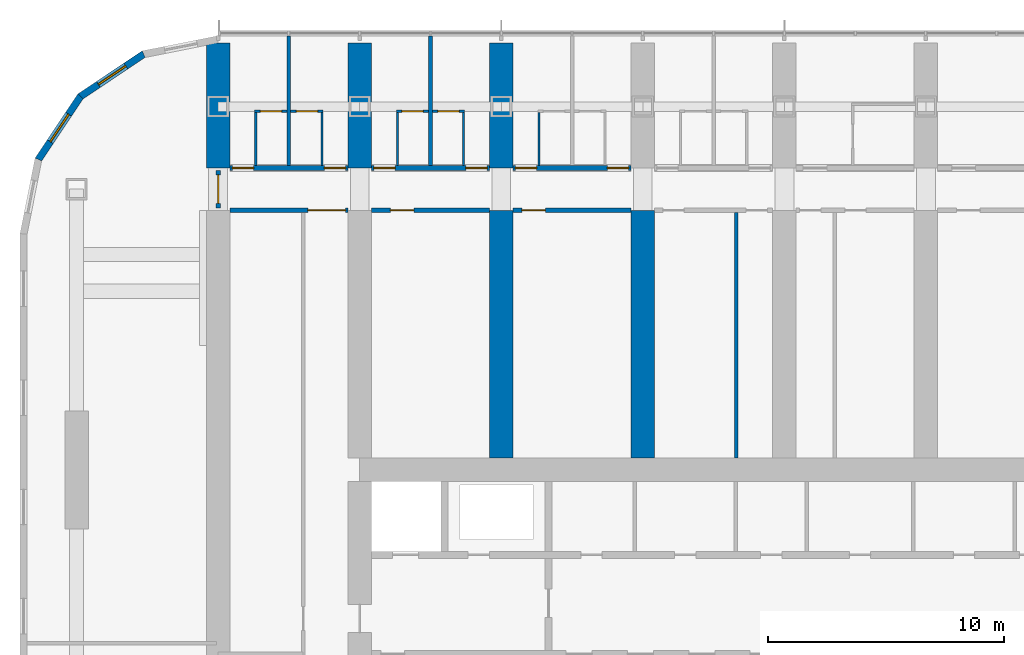
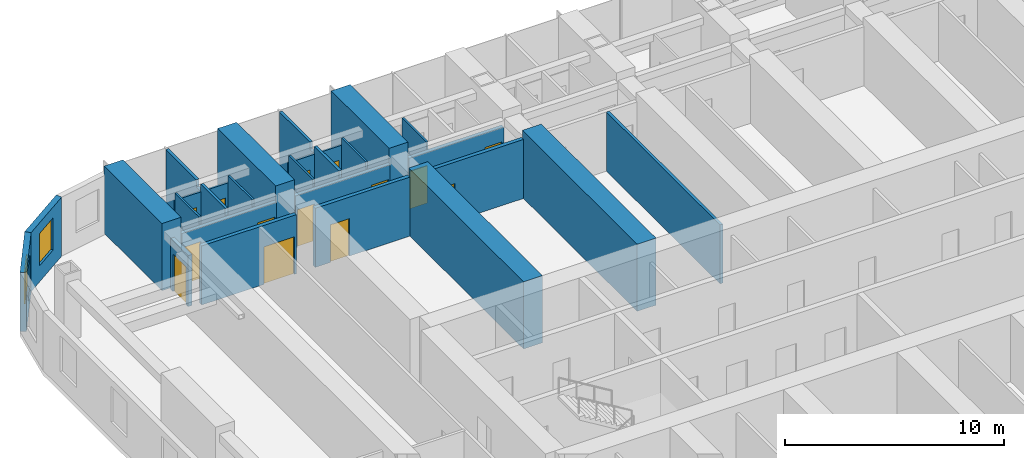
# One storey, part 15 of 24: 26 walls, 14 doors, 2 windows, 16 openings.
"""IFC4 building model written with IfcOpenShell, lengths in metres."""

from ifc_helpers import new_model, si_unit, direction, frame, frame_2d, origin, place, context, subcontext, project, spatial, polyline, rectangle, outline, extrude, material, layer, layer_set, type_object, element, fill, save


model = new_model("IFC4")

# Units and contexts
model_context = context("Model", 3, precision=1e-05, world=origin(), true_north=direction((0.0, 1.0)))
body_context = subcontext(model_context, "Body", "Model", "MODEL_VIEW")
ifc_project = project(units=[si_unit("LENGTHUNIT", "METRE"), si_unit("AREAUNIT", "SQUARE_METRE"), si_unit("VOLUMEUNIT", "CUBIC_METRE"), si_unit("PLANEANGLEUNIT", "RADIAN"), si_unit("MASSUNIT", "GRAM", prefix="KILO")], contexts=[model_context])

# Site, building, storey
site_placement = place(None, origin())
site = spatial("IfcSite", under=ifc_project, at=site_placement, CompositionType="ELEMENT")
building_placement = place(site_placement, origin())
building = spatial("IfcBuilding", under=site, at=building_placement, Name="Orbita Commons", CompositionType="ELEMENT")
storey_placement = place(building_placement, frame((0.0, 0.0, 35.199951171875)))
storey = spatial("IfcBuildingStorey", under=building, at=storey_placement, Name="L08", CompositionType="ELEMENT", Elevation=35.199951171875)

# Wall, openings, doors
ifc_material_1 = material(Name="Concrete blockwork", Category="masonry")
ifc_layer_1 = layer(ifc_material_1, 0.199951171875)
ifc_layer_set_1 = layer_set([ifc_layer_1], Name="Concrete blockwork")
wall_type_1 = type_object("IfcWallType", Name="Corridor wall 200 blockwork", PredefinedType="SOLIDWALL", material=ifc_layer_set_1)
wall_1_placement = place(storey_placement, frame((12.5, 51.0, 0.0), z_axis=(0.0, 0.0, 1.0), x_axis=(1.0, 0.0, 0.0)))
wall_1 = element("IfcWall", 1, at=wall_1_placement, inside=storey, type_object=wall_type_1, Name="Corridor wall 200 blockwork L08", PredefinedType="SOLIDWALL", context=body_context, shape_type="SweptSolid", body=[
    extrude(outline(polyline([(0.0, 0.0), (5.0, 0.0), (5.0, 2.900146484375), (0.0, 2.900146484375), (0.0, 0.0)])), frame((0.0, 0.10009765625, 0.0), z_axis=(0.0, -1.0, 0.0), x_axis=(1.0, 0.0, 0.0)), (0.0, 0.0, 1.0), 0.199951171875),
])
opening_1_placement = place(wall_1_placement, frame((0.10009765625, 0.0, 0.0)))
opening_1 = element("IfcOpeningElement", 2, at=opening_1_placement, cuts=wall_1, Name="Opening D11", PredefinedType="OPENING", context=body_context, shape_type="SweptSolid", body=[
    extrude(rectangle(XDim=0.89990234375, YDim=2.10009765625, at=frame_2d((0.449951171875, 1.050048828125))), frame((0.0, 0.10986328125, 0.0), z_axis=(0.0, -1.0, 0.0), x_axis=(1.0, 0.0, 0.0)), (0.0, 0.0, 1.0), 0.219970703125),
])
opening_2_placement = place(wall_1_placement, frame((4.0, 0.0, 0.0)))
opening_2 = element("IfcOpeningElement", 3, at=opening_2_placement, cuts=wall_1, Name="Opening D11", PredefinedType="OPENING", context=body_context, shape_type="SweptSolid", body=[
    extrude(rectangle(XDim=0.89990234375, YDim=2.10009765625, at=frame_2d((0.449951171875, 1.050048828125))), frame((0.0, 0.10986328125, 0.0), z_axis=(0.0, -1.0, 0.0), x_axis=(1.0, 0.0, 0.0)), (0.0, 0.0, 1.0), 0.219970703125),
])
ifc_material_2 = material(Name="Steel-faced fire door leaf", Category="steel")
door_type_1 = type_object("IfcDoorType", Name="Corridor door 20 min 900x2100", OperationType="SINGLE_SWING_LEFT", PredefinedType="DOOR", material=ifc_material_2)
door_1_placement = place(opening_1_placement, origin())
door_1 = element("IfcDoor", 4, at=door_1_placement, inside=storey, type_object=door_type_1, Name="House bedroom L08-N00 door", OperationType="SINGLE_SWING_LEFT", OverallHeight=2.10009765625, OverallWidth=0.89990234375, PredefinedType="DOOR", context=body_context, shape_type="SweptSolid", body=[
    extrude(rectangle(XDim=0.89990234375, YDim=2.10009765625, at=frame_2d((0.449951171875, 1.050048828125))), frame((0.0, 0.02490234375, 0.0), z_axis=(0.0, -1.0, 0.0), x_axis=(1.0, 0.0, 0.0)), (0.0, 0.0, 1.0), 0.050048828125),
])
fill(opening_1, door_1)
door_2_placement = place(opening_2_placement, origin())
door_2 = element("IfcDoor", 5, at=door_2_placement, inside=storey, type_object=door_type_1, Name="House bedroom L08-N01 door", OperationType="SINGLE_SWING_LEFT", OverallHeight=2.10009765625, OverallWidth=0.89990234375, PredefinedType="DOOR", context=body_context, shape_type="SweptSolid", body=[
    extrude(rectangle(XDim=0.89990234375, YDim=2.10009765625, at=frame_2d((0.449951171875, 1.050048828125))), frame((0.0, 0.02490234375, 0.0), z_axis=(0.0, -1.0, 0.0), x_axis=(1.0, 0.0, 0.0)), (0.0, 0.0, 1.0), 0.050048828125),
])
fill(opening_2, door_2)

wall_2_placement = place(storey_placement, frame((18.5, 51.0, 0.0), z_axis=(0.0, 0.0, 1.0), x_axis=(1.0, 0.0, 0.0)))
wall_2 = element("IfcWall", 6, at=wall_2_placement, inside=storey, type_object=wall_type_1, Name="Corridor wall 200 blockwork L08", PredefinedType="SOLIDWALL", context=body_context, shape_type="SweptSolid", body=[
    extrude(outline(polyline([(0.0, 0.0), (5.0, 0.0), (5.0, 2.900146484375), (0.0, 2.900146484375), (0.0, 0.0)])), frame((0.0, 0.10009765625, 0.0), z_axis=(0.0, -1.0, 0.0), x_axis=(1.0, 0.0, 0.0)), (0.0, 0.0, 1.0), 0.199951171875),
])
opening_3_placement = place(wall_2_placement, frame((0.10009765625, 0.0, 0.0)))
opening_3 = element("IfcOpeningElement", 7, at=opening_3_placement, cuts=wall_2, Name="Opening D11", PredefinedType="OPENING", context=body_context, shape_type="SweptSolid", body=[
    extrude(rectangle(XDim=0.89990234375, YDim=2.10009765625, at=frame_2d((0.449951171875, 1.050048828125))), frame((0.0, 0.10986328125, 0.0), z_axis=(0.0, -1.0, 0.0), x_axis=(1.0, 0.0, 0.0)), (0.0, 0.0, 1.0), 0.219970703125),
])
opening_4_placement = place(wall_2_placement, frame((4.0, 0.0, 0.0)))
opening_4 = element("IfcOpeningElement", 8, at=opening_4_placement, cuts=wall_2, Name="Opening D11", PredefinedType="OPENING", context=body_context, shape_type="SweptSolid", body=[
    extrude(rectangle(XDim=0.89990234375, YDim=2.10009765625, at=frame_2d((0.449951171875, 1.050048828125))), frame((0.0, 0.10986328125, 0.0), z_axis=(0.0, -1.0, 0.0), x_axis=(1.0, 0.0, 0.0)), (0.0, 0.0, 1.0), 0.219970703125),
])
door_3_placement = place(opening_3_placement, origin())
door_3 = element("IfcDoor", 9, at=door_3_placement, inside=storey, type_object=door_type_1, Name="House bedroom L08-N02 door", OperationType="SINGLE_SWING_LEFT", OverallHeight=2.10009765625, OverallWidth=0.89990234375, PredefinedType="DOOR", context=body_context, shape_type="SweptSolid", body=[
    extrude(rectangle(XDim=0.89990234375, YDim=2.10009765625, at=frame_2d((0.449951171875, 1.050048828125))), frame((0.0, 0.02490234375, 0.0), z_axis=(0.0, -1.0, 0.0), x_axis=(1.0, 0.0, 0.0)), (0.0, 0.0, 1.0), 0.050048828125),
])
fill(opening_3, door_3)
door_4_placement = place(opening_4_placement, origin())
door_4 = element("IfcDoor", 10, at=door_4_placement, inside=storey, type_object=door_type_1, Name="House bedroom L08-N03 door", OperationType="SINGLE_SWING_LEFT", OverallHeight=2.10009765625, OverallWidth=0.89990234375, PredefinedType="DOOR", context=body_context, shape_type="SweptSolid", body=[
    extrude(rectangle(XDim=0.89990234375, YDim=2.10009765625, at=frame_2d((0.449951171875, 1.050048828125))), frame((0.0, 0.02490234375, 0.0), z_axis=(0.0, -1.0, 0.0), x_axis=(1.0, 0.0, 0.0)), (0.0, 0.0, 1.0), 0.050048828125),
])
fill(opening_4, door_4)

wall_3_placement = place(storey_placement, frame((24.5, 51.0, 0.0), z_axis=(0.0, 0.0, 1.0), x_axis=(1.0, 0.0, 0.0)))
wall_3 = element("IfcWall", 11, at=wall_3_placement, inside=storey, type_object=wall_type_1, Name="Corridor wall 200 blockwork L08", PredefinedType="SOLIDWALL", context=body_context, shape_type="SweptSolid", body=[
    extrude(outline(polyline([(0.0, 0.0), (5.0, 0.0), (5.0, 2.900146484375), (0.0, 2.900146484375), (0.0, 0.0)])), frame((0.0, 0.10009765625, 0.0), z_axis=(0.0, -1.0, 0.0), x_axis=(1.0, 0.0, 0.0)), (0.0, 0.0, 1.0), 0.199951171875),
])
opening_5_placement = place(wall_3_placement, frame((0.10009765625, 0.0, 0.0)))
opening_5 = element("IfcOpeningElement", 12, at=opening_5_placement, cuts=wall_3, Name="Opening D11", PredefinedType="OPENING", context=body_context, shape_type="SweptSolid", body=[
    extrude(rectangle(XDim=0.89990234375, YDim=2.10009765625, at=frame_2d((0.449951171875, 1.050048828125))), frame((0.0, 0.10986328125, 0.0), z_axis=(0.0, -1.0, 0.0), x_axis=(1.0, 0.0, 0.0)), (0.0, 0.0, 1.0), 0.219970703125),
])
opening_6_placement = place(wall_3_placement, frame((4.0, 0.0, 0.0)))
opening_6 = element("IfcOpeningElement", 13, at=opening_6_placement, cuts=wall_3, Name="Opening D11", PredefinedType="OPENING", context=body_context, shape_type="SweptSolid", body=[
    extrude(rectangle(XDim=0.89990234375, YDim=2.10009765625, at=frame_2d((0.449951171875, 1.050048828125))), frame((0.0, 0.10986328125, 0.0), z_axis=(0.0, -1.0, 0.0), x_axis=(1.0, 0.0, 0.0)), (0.0, 0.0, 1.0), 0.219970703125),
])
door_5_placement = place(opening_5_placement, origin())
door_5 = element("IfcDoor", 14, at=door_5_placement, inside=storey, type_object=door_type_1, Name="House bedroom L08-N04 door", OperationType="SINGLE_SWING_LEFT", OverallHeight=2.10009765625, OverallWidth=0.89990234375, PredefinedType="DOOR", context=body_context, shape_type="SweptSolid", body=[
    extrude(rectangle(XDim=0.89990234375, YDim=2.10009765625, at=frame_2d((0.449951171875, 1.050048828125))), frame((0.0, 0.02490234375, 0.0), z_axis=(0.0, -1.0, 0.0), x_axis=(1.0, 0.0, 0.0)), (0.0, 0.0, 1.0), 0.050048828125),
])
fill(opening_5, door_5)
door_6_placement = place(opening_6_placement, origin())
door_6 = element("IfcDoor", 15, at=door_6_placement, inside=storey, type_object=door_type_1, Name="House bedroom L08-N05 door", OperationType="SINGLE_SWING_LEFT", OverallHeight=2.10009765625, OverallWidth=0.89990234375, PredefinedType="DOOR", context=body_context, shape_type="SweptSolid", body=[
    extrude(rectangle(XDim=0.89990234375, YDim=2.10009765625, at=frame_2d((0.449951171875, 1.050048828125))), frame((0.0, 0.02490234375, 0.0), z_axis=(0.0, -1.0, 0.0), x_axis=(1.0, 0.0, 0.0)), (0.0, 0.0, 1.0), 0.050048828125),
])
fill(opening_6, door_6)

# Wall, opening, door
wall_4_placement = place(storey_placement, frame((12.0, 49.300048828125, 0.0), z_axis=(0.0, 0.0, 1.0), x_axis=(0.0, 1.0, 0.0)))
wall_4 = element("IfcWall", 16, at=wall_4_placement, inside=storey, type_object=wall_type_1, Name="Corridor wall 200 blockwork L08", PredefinedType="SOLIDWALL", context=body_context, shape_type="SweptSolid", body=[
    extrude(outline(polyline([(0.0, 0.0), (1.599853515625, 0.0), (1.60009765625, 2.85009765625), (0.0, 2.85009765625), (0.0, 0.0)])), frame((0.0, 0.10009765625, 0.0), z_axis=(0.0, -1.0, 0.0), x_axis=(1.0, 0.0, 0.0)), (0.0, 0.0, 1.0), 0.199951171875),
])
opening_7_placement = place(wall_4_placement, frame((0.199951171875, 0.0, 0.0)))
opening_7 = element("IfcOpeningElement", 17, at=opening_7_placement, cuts=wall_4, Name="Opening D12", PredefinedType="OPENING", context=body_context, shape_type="SweptSolid", body=[
    extrude(rectangle(XDim=1.199951171875, YDim=2.10009765625, at=frame_2d((0.60009765625, 1.050048828125))), frame((0.0, 0.10986328125, 0.0), z_axis=(0.0, -1.0, 0.0), x_axis=(1.0, 0.0, 0.0)), (0.0, 0.0, 1.0), 0.219970703125),
])
ifc_material_3 = material(Name="Steel-faced fire door leaf", Category="steel")
door_type_2 = type_object("IfcDoorType", Name="Double corridor door 20 min 1200x2100", OperationType="DOUBLE_DOOR_SINGLE_SWING", PredefinedType="DOOR", material=ifc_material_3)
door_7_placement = place(opening_7_placement, origin())
door_7 = element("IfcDoor", 18, at=door_7_placement, inside=storey, type_object=door_type_2, Name="Lounge doors", OperationType="DOUBLE_DOOR_SINGLE_SWING", OverallHeight=2.10009765625, OverallWidth=1.199951171875, PredefinedType="DOOR", context=body_context, shape_type="SweptSolid", body=[
    extrude(rectangle(XDim=1.199951171875, YDim=2.10009765625, at=frame_2d((0.60009765625, 1.050048828125))), frame((0.0, 0.02490234375, 0.0), z_axis=(0.0, -1.0, 0.0), x_axis=(1.0, 0.0, 0.0)), (0.0, 0.0, 1.0), 0.050048828125),
])
fill(opening_7, door_7)

ifc_material_4 = material(Name="Hollow concrete block 200", Category="concrete")
ifc_layer_2 = layer(ifc_material_4, 0.199951171875)
ifc_layer_set_2 = layer_set([ifc_layer_2], Name="Hollow concrete block 200")
wall_type_2 = type_object("IfcWallType", Name="Corridor wall 200 hollow concrete block", PredefinedType="SOLIDWALL", material=ifc_layer_set_2)
wall_5_placement = place(storey_placement, frame((12.5, 49.199951171875, 0.0), z_axis=(0.0, 0.0, 1.0), x_axis=(1.0, 0.0, 0.0)))
wall_5 = element("IfcWall", 19, at=wall_5_placement, inside=storey, type_object=wall_type_2, Name="Corridor wall 200 hollow concrete block L08", PredefinedType="SOLIDWALL", context=body_context, shape_type="SweptSolid", body=[
    extrude(rectangle(XDim=5.0, YDim=0.199951171875, at=frame_2d((2.5, 0.0))), origin(), (0.0, 0.0, 1.0), 3.300048828125),
])
opening_8_placement = place(wall_5_placement, frame((3.300048828125, 0.0, 0.0)))
opening_8 = element("IfcOpeningElement", 20, at=opening_8_placement, cuts=wall_5, Name="Opening D10", PredefinedType="OPENING", context=body_context, shape_type="SweptSolid", body=[
    extrude(rectangle(XDim=1.60009765625, YDim=2.10009765625, at=frame_2d((0.800048828125, 1.050048828125))), frame((0.0, 0.10986328125, 0.0), z_axis=(0.0, -1.0, 0.0), x_axis=(1.0, 0.0, 0.0)), (0.0, 0.0, 1.0), 0.219970703125),
])
ifc_material_5 = material(Name="Steel-faced fire door leaf", Category="steel")
door_type_3 = type_object("IfcDoorType", Name="Double corridor door 20 min 1600x2100", OperationType="DOUBLE_DOOR_SINGLE_SWING", PredefinedType="DOOR", material=ifc_material_5)
door_8_placement = place(opening_8_placement, origin())
door_8 = element("IfcDoor", 21, at=door_8_placement, inside=storey, type_object=door_type_3, Name="Cross corridor doors", OperationType="DOUBLE_DOOR_SINGLE_SWING", OverallHeight=2.10009765625, OverallWidth=1.60009765625, PredefinedType="DOOR", context=body_context, shape_type="SweptSolid", body=[
    extrude(rectangle(XDim=1.60009765625, YDim=2.10009765625, at=frame_2d((0.800048828125, 1.050048828125))), frame((0.0, 0.02490234375, 0.0), z_axis=(0.0, -1.0, 0.0), x_axis=(1.0, 0.0, 0.0)), (0.0, 0.0, 1.0), 0.050048828125),
])
fill(opening_8, door_8)

wall_6_placement = place(storey_placement, frame((18.5, 49.199951171875, 0.0), z_axis=(0.0, 0.0, 1.0), x_axis=(1.0, 0.0, 0.0)))
wall_6 = element("IfcWall", 22, at=wall_6_placement, inside=storey, type_object=wall_type_2, Name="Corridor wall 200 hollow concrete block L08", PredefinedType="SOLIDWALL", context=body_context, shape_type="SweptSolid", body=[
    extrude(rectangle(XDim=5.0, YDim=0.199951171875, at=frame_2d((2.5, 0.0))), origin(), (0.0, 0.0, 1.0), 3.300048828125),
])
opening_9_placement = place(wall_6_placement, frame((0.800048828125, 0.0, 0.0)))
opening_9 = element("IfcOpeningElement", 23, at=opening_9_placement, cuts=wall_6, Name="Opening D06", PredefinedType="OPENING", context=body_context, shape_type="SweptSolid", body=[
    extrude(rectangle(XDim=1.0, YDim=2.10009765625, at=frame_2d((0.5, 1.050048828125))), frame((0.0, 0.10986328125, 0.0), z_axis=(0.0, -1.0, 0.0), x_axis=(1.0, 0.0, 0.0)), (0.0, 0.0, 1.0), 0.219970703125),
])
ifc_material_6 = material(Name="Steel-faced fire door leaf", Category="steel")
door_type_4 = type_object("IfcDoorType", Name="Corridor door 20 min 1000x2100", OperationType="SINGLE_SWING_LEFT", PredefinedType="DOOR", material=ifc_material_6)
door_9_placement = place(opening_9_placement, origin())
door_9 = element("IfcDoor", 24, at=door_9_placement, inside=storey, type_object=door_type_4, Name="Cleaners store L08-BDN18 door", OperationType="SINGLE_SWING_LEFT", OverallHeight=2.10009765625, OverallWidth=1.0, PredefinedType="DOOR", context=body_context, shape_type="SweptSolid", body=[
    extrude(rectangle(XDim=1.0, YDim=2.10009765625, at=frame_2d((0.5, 1.050048828125))), frame((0.0, 0.02490234375, 0.0), z_axis=(0.0, -1.0, 0.0), x_axis=(1.0, 0.0, 0.0)), (0.0, 0.0, 1.0), 0.050048828125),
])
fill(opening_9, door_9)

wall_7_placement = place(storey_placement, frame((24.5, 49.199951171875, 0.0), z_axis=(0.0, 0.0, 1.0), x_axis=(1.0, 0.0, 0.0)))
wall_7 = element("IfcWall", 25, at=wall_7_placement, inside=storey, type_object=wall_type_2, Name="Corridor wall 200 hollow concrete block L08", PredefinedType="SOLIDWALL", context=body_context, shape_type="SweptSolid", body=[
    extrude(rectangle(XDim=5.0, YDim=0.199951171875, at=frame_2d((2.5, 0.0))), origin(), (0.0, 0.0, 1.0), 3.300048828125),
])
opening_10_placement = place(wall_7_placement, frame((0.375, 0.0, 0.0)))
opening_10 = element("IfcOpeningElement", 26, at=opening_10_placement, cuts=wall_7, Name="Opening D06", PredefinedType="OPENING", context=body_context, shape_type="SweptSolid", body=[
    extrude(rectangle(XDim=1.0, YDim=2.10009765625, at=frame_2d((0.5, 1.050048828125))), frame((0.0, 0.10986328125, 0.0), z_axis=(0.0, -1.0, 0.0), x_axis=(1.0, 0.0, 0.0)), (0.0, 0.0, 1.0), 0.219970703125),
])
door_10_placement = place(opening_10_placement, origin())
door_10 = element("IfcDoor", 27, at=door_10_placement, inside=storey, type_object=door_type_4, Name="IT and print room L08-BDN24 door", OperationType="SINGLE_SWING_LEFT", OverallHeight=2.10009765625, OverallWidth=1.0, PredefinedType="DOOR", context=body_context, shape_type="SweptSolid", body=[
    extrude(rectangle(XDim=1.0, YDim=2.10009765625, at=frame_2d((0.5, 1.050048828125))), frame((0.0, 0.02490234375, 0.0), z_axis=(0.0, -1.0, 0.0), x_axis=(1.0, 0.0, 0.0)), (0.0, 0.0, 1.0), 0.050048828125),
])
fill(opening_10, door_10)

# Walls
ifc_material_7 = material(Name="Concrete C50/60", Category="concrete")
ifc_layer_3 = layer(ifc_material_7, 1.0)
ifc_layer_set_3 = layer_set([ifc_layer_3], Name="Concrete C50/60")
wall_type_3 = type_object("IfcWallType", Name="Cross wall 1000 C50/60", PredefinedType="SHEAR", material=ifc_layer_set_3)
for number, where, z_axis, x_axis, name in (
    (28, (12.0, 51.0, 0.0), (0.0, 0.0, 1.0), (0.0, 1.0, 0.0), "Cross wall 3 north outer L08"),
    (29, (18.0, 51.0, 0.0), (0.0, 0.0, 1.0), (0.0, 1.0, 0.0), "Cross wall 4 north outer L08"),
    (30, (24.0, 51.0, 0.0), (0.0, 0.0, 1.0), (0.0, 1.0, 0.0), "Cross wall 5 north outer L08"),
):
    element("IfcWall", number, at=place(storey_placement, frame(where, z_axis=z_axis, x_axis=x_axis)), inside=storey, type_object=wall_type_3, Name=name, PredefinedType="SHEAR", context=body_context, shape_type="SweptSolid", body=[
        extrude(rectangle(XDim=5.300048828125, YDim=1.0, at=frame_2d((2.64990234375, 0.0))), origin(), (0.0, 0.0, 1.0), 3.75),
    ])
for number, where, z_axis, x_axis, name in (
    (31, (24.0, 38.699951171875, 0.0), (0.0, 0.0, 1.0), (0.0, 1.0, 0.0), "Cross wall 5 north inner L08"),
    (32, (30.0, 38.699951171875, 0.0), (0.0, 0.0, 1.0), (0.0, 1.0, 0.0), "Cross wall 6 north inner L08"),
):
    element("IfcWall", number, at=place(storey_placement, frame(where, z_axis=z_axis, x_axis=x_axis)), inside=storey, type_object=wall_type_3, Name=name, PredefinedType="SHEAR", context=body_context, shape_type="SweptSolid", body=[
        extrude(rectangle(XDim=10.5, YDim=1.0, at=frame_2d((5.25, 0.0))), origin(), (0.0, 0.0, 1.0), 3.75),
    ])

# Wall, opening, door
ifc_material_8 = material(Name="Moisture-resistant plasterboard on steel studs", Category="steel")
ifc_layer_4 = layer(ifc_material_8, 0.10009765625)
ifc_layer_set_4 = layer_set([ifc_layer_4], Name="Moisture-resistant plasterboard on steel studs")
wall_type_4 = type_object("IfcWallType", Name="En-suite partition 100", PredefinedType="PARTITIONING", material=ifc_layer_set_4)
wall_8_placement = place(storey_placement, frame((13.550048828125, 53.40185546875, 0.0), z_axis=(0.0, 0.0, 1.0), x_axis=(1.0, 0.0, 0.0)))
wall_8 = element("IfcWall", 33, at=wall_8_placement, inside=storey, type_object=wall_type_4, Name="En-suite partition 100 L08", PredefinedType="PARTITIONING", context=body_context, shape_type="SweptSolid", body=[
    extrude(outline(polyline([(0.0, 0.0), (1.375, 0.0), (1.375, 2.900146484375), (0.0, 2.900146484375), (0.0, 0.0)])), frame((0.0, 0.050048828125, 0.0), z_axis=(0.0, -1.0, 0.0), x_axis=(1.0, 0.0, 0.0)), (0.0, 0.0, 1.0), 0.10009765625),
])
opening_11_placement = place(wall_8_placement, frame((0.237548828125, 0.0, 0.0)))
opening_11 = element("IfcOpeningElement", 34, at=opening_11_placement, cuts=wall_8, Name="Opening D09", PredefinedType="OPENING", context=body_context, shape_type="SweptSolid", body=[
    extrude(rectangle(XDim=0.89990234375, YDim=2.10009765625, at=frame_2d((0.449951171875, 1.050048828125))), frame((0.0, 0.06005859375, 0.0), z_axis=(0.0, -1.0, 0.0), x_axis=(1.0, 0.0, 0.0)), (0.0, 0.0, 1.0), 0.1201171875),
])
ifc_material_9 = material(Name="Laminated timber door leaf", Category="wood")
door_type_5 = type_object("IfcDoorType", Name="En-suite door 900x2100", OperationType="SINGLE_SWING_RIGHT", PredefinedType="DOOR", material=ifc_material_9)
door_11_placement = place(opening_11_placement, origin())
door_11 = element("IfcDoor", 35, at=door_11_placement, inside=storey, type_object=door_type_5, Name="En-suite L08-N00 door", OperationType="SINGLE_SWING_RIGHT", OverallHeight=2.10009765625, OverallWidth=0.89990234375, PredefinedType="DOOR", context=body_context, shape_type="SweptSolid", body=[
    extrude(rectangle(XDim=0.89990234375, YDim=2.10009765625, at=frame_2d((0.449951171875, 1.050048828125))), frame((0.0, 0.02490234375, 0.0), z_axis=(0.0, -1.0, 0.0), x_axis=(1.0, 0.0, 0.0)), (0.0, 0.0, 1.0), 0.050048828125),
])
fill(opening_11, door_11)

# Wall
wall_9_placement = place(storey_placement, frame((13.60009765625, 53.351806640625, 0.0), z_axis=(0.0, 0.0, 1.0), x_axis=(0.0, -1.0, 0.0)))
element("IfcWall", 36, at=wall_9_placement, inside=storey, type_object=wall_type_4, Name="En-suite partition 100 L08", PredefinedType="PARTITIONING", context=body_context, shape_type="SweptSolid", body=[
    extrude(outline(polyline([(0.0, 0.0), (2.251708984375, 0.0), (2.251953125, 2.900146484375), (2.203857421875, 2.900146484375), (2.201904296875, 3.300048828125), (0.0, 3.300048828125), (0.0, 0.0)])), frame((0.0, 0.050048828125, 0.0), z_axis=(0.0, -1.0, 0.0), x_axis=(1.0, 0.0, 0.0)), (0.0, 0.0, 1.0), 0.10009765625),
])

# Wall, opening, door
wall_10_placement = place(storey_placement, frame((15.074951171875, 53.40185546875, 0.0), z_axis=(0.0, 0.0, 1.0), x_axis=(1.0, 0.0, 0.0)))
wall_10 = element("IfcWall", 37, at=wall_10_placement, inside=storey, type_object=wall_type_4, Name="En-suite partition 100 L08", PredefinedType="PARTITIONING", context=body_context, shape_type="SweptSolid", body=[
    extrude(outline(polyline([(0.0, 0.0), (1.375, 0.0), (1.375, 2.900146484375), (0.0, 2.900146484375), (0.0, 0.0)])), frame((0.0, 0.050048828125, 0.0), z_axis=(0.0, -1.0, 0.0), x_axis=(1.0, 0.0, 0.0)), (0.0, 0.0, 1.0), 0.10009765625),
])
opening_12_placement = place(wall_10_placement, frame((0.237548828125, 0.0, 0.0)))
opening_12 = element("IfcOpeningElement", 38, at=opening_12_placement, cuts=wall_10, Name="Opening D09", PredefinedType="OPENING", context=body_context, shape_type="SweptSolid", body=[
    extrude(rectangle(XDim=0.89990234375, YDim=2.10009765625, at=frame_2d((0.449951171875, 1.050048828125))), frame((0.0, 0.06005859375, 0.0), z_axis=(0.0, -1.0, 0.0), x_axis=(1.0, 0.0, 0.0)), (0.0, 0.0, 1.0), 0.1201171875),
])
door_12_placement = place(opening_12_placement, origin())
door_12 = element("IfcDoor", 39, at=door_12_placement, inside=storey, type_object=door_type_5, Name="En-suite L08-N01 door", OperationType="SINGLE_SWING_RIGHT", OverallHeight=2.10009765625, OverallWidth=0.89990234375, PredefinedType="DOOR", context=body_context, shape_type="SweptSolid", body=[
    extrude(rectangle(XDim=0.89990234375, YDim=2.10009765625, at=frame_2d((0.449951171875, 1.050048828125))), frame((0.0, 0.02490234375, 0.0), z_axis=(0.0, -1.0, 0.0), x_axis=(1.0, 0.0, 0.0)), (0.0, 0.0, 1.0), 0.050048828125),
])
fill(opening_12, door_12)

# Wall
wall_11_placement = place(storey_placement, frame((16.39990234375, 53.351806640625, 0.0), z_axis=(0.0, 0.0, 1.0), x_axis=(0.0, -1.0, 0.0)))
element("IfcWall", 40, at=wall_11_placement, inside=storey, type_object=wall_type_4, Name="En-suite partition 100 L08", PredefinedType="PARTITIONING", context=body_context, shape_type="SweptSolid", body=[
    extrude(outline(polyline([(0.0, 0.0), (2.251708984375, 0.0), (2.251953125, 2.900146484375), (2.203857421875, 2.900146484375), (2.201904296875, 3.300048828125), (0.0, 3.300048828125), (0.0, 0.0)])), frame((0.0, 0.050048828125, 0.0), z_axis=(0.0, -1.0, 0.0), x_axis=(1.0, 0.0, 0.0)), (0.0, 0.0, 1.0), 0.10009765625),
])

# Wall, opening, door
wall_12_placement = place(storey_placement, frame((19.550048828125, 53.40185546875, 0.0), z_axis=(0.0, 0.0, 1.0), x_axis=(1.0, 0.0, 0.0)))
wall_12 = element("IfcWall", 41, at=wall_12_placement, inside=storey, type_object=wall_type_4, Name="En-suite partition 100 L08", PredefinedType="PARTITIONING", context=body_context, shape_type="SweptSolid", body=[
    extrude(outline(polyline([(0.0, 0.0), (1.375, 0.0), (1.375, 2.900146484375), (0.0, 2.900146484375), (0.0, 0.0)])), frame((0.0, 0.050048828125, 0.0), z_axis=(0.0, -1.0, 0.0), x_axis=(1.0, 0.0, 0.0)), (0.0, 0.0, 1.0), 0.10009765625),
])
opening_13_placement = place(wall_12_placement, frame((0.237548828125, 0.0, 0.0)))
opening_13 = element("IfcOpeningElement", 42, at=opening_13_placement, cuts=wall_12, Name="Opening D09", PredefinedType="OPENING", context=body_context, shape_type="SweptSolid", body=[
    extrude(rectangle(XDim=0.89990234375, YDim=2.10009765625, at=frame_2d((0.449951171875, 1.050048828125))), frame((0.0, 0.06005859375, 0.0), z_axis=(0.0, -1.0, 0.0), x_axis=(1.0, 0.0, 0.0)), (0.0, 0.0, 1.0), 0.1201171875),
])
door_13_placement = place(opening_13_placement, origin())
door_13 = element("IfcDoor", 43, at=door_13_placement, inside=storey, type_object=door_type_5, Name="En-suite L08-N02 door", OperationType="SINGLE_SWING_RIGHT", OverallHeight=2.10009765625, OverallWidth=0.89990234375, PredefinedType="DOOR", context=body_context, shape_type="SweptSolid", body=[
    extrude(rectangle(XDim=0.89990234375, YDim=2.10009765625, at=frame_2d((0.449951171875, 1.050048828125))), frame((0.0, 0.02490234375, 0.0), z_axis=(0.0, -1.0, 0.0), x_axis=(1.0, 0.0, 0.0)), (0.0, 0.0, 1.0), 0.050048828125),
])
fill(opening_13, door_13)

# Wall
wall_13_placement = place(storey_placement, frame((19.60009765625, 53.351806640625, 0.0), z_axis=(0.0, 0.0, 1.0), x_axis=(0.0, -1.0, 0.0)))
element("IfcWall", 44, at=wall_13_placement, inside=storey, type_object=wall_type_4, Name="En-suite partition 100 L08", PredefinedType="PARTITIONING", context=body_context, shape_type="SweptSolid", body=[
    extrude(outline(polyline([(0.0, 0.0), (2.251708984375, 0.0), (2.251953125, 2.900146484375), (2.203857421875, 2.900146484375), (2.201904296875, 3.300048828125), (0.0, 3.300048828125), (0.0, 0.0)])), frame((0.0, 0.050048828125, 0.0), z_axis=(0.0, -1.0, 0.0), x_axis=(1.0, 0.0, 0.0)), (0.0, 0.0, 1.0), 0.10009765625),
])

# Wall, opening, door
wall_14_placement = place(storey_placement, frame((21.074951171875, 53.40185546875, 0.0), z_axis=(0.0, 0.0, 1.0), x_axis=(1.0, 0.0, 0.0)))
wall_14 = element("IfcWall", 45, at=wall_14_placement, inside=storey, type_object=wall_type_4, Name="En-suite partition 100 L08", PredefinedType="PARTITIONING", context=body_context, shape_type="SweptSolid", body=[
    extrude(outline(polyline([(0.0, 0.0), (1.375, 0.0), (1.375, 2.900146484375), (0.0, 2.900146484375), (0.0, 0.0)])), frame((0.0, 0.050048828125, 0.0), z_axis=(0.0, -1.0, 0.0), x_axis=(1.0, 0.0, 0.0)), (0.0, 0.0, 1.0), 0.10009765625),
])
opening_14_placement = place(wall_14_placement, frame((0.237548828125, 0.0, 0.0)))
opening_14 = element("IfcOpeningElement", 46, at=opening_14_placement, cuts=wall_14, Name="Opening D09", PredefinedType="OPENING", context=body_context, shape_type="SweptSolid", body=[
    extrude(rectangle(XDim=0.89990234375, YDim=2.10009765625, at=frame_2d((0.449951171875, 1.050048828125))), frame((0.0, 0.06005859375, 0.0), z_axis=(0.0, -1.0, 0.0), x_axis=(1.0, 0.0, 0.0)), (0.0, 0.0, 1.0), 0.1201171875),
])
door_14_placement = place(opening_14_placement, origin())
door_14 = element("IfcDoor", 47, at=door_14_placement, inside=storey, type_object=door_type_5, Name="En-suite L08-N03 door", OperationType="SINGLE_SWING_RIGHT", OverallHeight=2.10009765625, OverallWidth=0.89990234375, PredefinedType="DOOR", context=body_context, shape_type="SweptSolid", body=[
    extrude(rectangle(XDim=0.89990234375, YDim=2.10009765625, at=frame_2d((0.449951171875, 1.050048828125))), frame((0.0, 0.02490234375, 0.0), z_axis=(0.0, -1.0, 0.0), x_axis=(1.0, 0.0, 0.0)), (0.0, 0.0, 1.0), 0.050048828125),
])
fill(opening_14, door_14)

# Walls
for number, where, z_axis, x_axis, name in (
    (48, (22.39990234375, 53.351806640625, 0.0), (0.0, 0.0, 1.0), (0.0, -1.0, 0.0), "En-suite partition 100 L08"),
    (49, (25.60009765625, 53.351806640625, 0.0), (0.0, 0.0, 1.0), (0.0, -1.0, 0.0), "En-suite partition 100 L08"),
):
    element("IfcWall", number, at=place(storey_placement, frame(where, z_axis=z_axis, x_axis=x_axis)), inside=storey, type_object=wall_type_4, Name=name, PredefinedType="PARTITIONING", context=body_context, shape_type="SweptSolid", body=[
        extrude(outline(polyline([(0.0, 0.0), (2.251708984375, 0.0), (2.251953125, 2.900146484375), (2.203857421875, 2.900146484375), (2.201904296875, 3.300048828125), (0.0, 3.300048828125), (0.0, 0.0)])), frame((0.0, 0.050048828125, 0.0), z_axis=(0.0, -1.0, 0.0), x_axis=(1.0, 0.0, 0.0)), (0.0, 0.0, 1.0), 0.10009765625),
    ])
ifc_material_10 = material(Name="Gypsum plasterboard on steel studs", Category="steel")
ifc_layer_5 = layer(ifc_material_10, 0.14990234375)
ifc_layer_set_5 = layer_set([ifc_layer_5], Name="Gypsum plasterboard on steel studs")
wall_type_5 = type_object("IfcWallType", Name="Partition 150 plasterboard", PredefinedType="PARTITIONING", material=ifc_layer_set_5)
wall_15_placement = place(storey_placement, frame((33.955078125, 38.699951171875, 0.0), z_axis=(0.0, 0.0, 1.0), x_axis=(0.0, 1.0, 0.0)))
element("IfcWall", 50, at=wall_15_placement, inside=storey, type_object=wall_type_5, Name="Partition 150 plasterboard L08", PredefinedType="PARTITIONING", context=body_context, shape_type="SweptSolid", body=[
    extrude(rectangle(XDim=10.400146484375, YDim=0.14990234375, at=frame_2d((5.2001953125, 0.0))), origin(), (0.0, 0.0, 1.0), 3.300048828125),
])
ifc_material_11 = material(Name="Gypsum plasterboard on steel studs", Category="steel")
ifc_layer_6 = layer(ifc_material_11, 0.14990234375)
ifc_layer_set_6 = layer_set([ifc_layer_6], Name="Gypsum plasterboard on steel studs")
wall_type_6 = type_object("IfcWallType", Name="Party wall 150 plasterboard", PredefinedType="PARTITIONING", material=ifc_layer_set_6)
for number, where, z_axis, x_axis, name in (
    (51, (15.0, 56.590087890625, 0.0), (0.0, 0.0, 1.0), (0.0, -1.0, 0.0), "Party wall 150 plasterboard L08"),
    (52, (21.0, 56.590087890625, 0.0), (0.0, 0.0, 1.0), (0.0, -1.0, 0.0), "Party wall 150 plasterboard L08"),
):
    element("IfcWall", number, at=place(storey_placement, frame(where, z_axis=z_axis, x_axis=x_axis)), inside=storey, type_object=wall_type_6, Name=name, PredefinedType="PARTITIONING", context=body_context, shape_type="SweptSolid", body=[
        extrude(outline(polyline([(0.0, 0.0), (5.489990234375, 0.0), (5.489990234375, 2.900146484375), (5.44189453125, 2.900146484375), (5.43994140625, 3.300048828125), (3.19189453125, 3.300048828125), (3.18994140625, 2.900146484375), (2.7919921875, 2.900146484375), (2.7900390625, 3.300048828125), (0.0, 3.300048828125), (0.0, 0.0)])), frame((0.0, 0.074951171875, 0.0), z_axis=(0.0, -1.0, 0.0), x_axis=(1.0, 0.0, 0.0)), (0.0, 0.0, 1.0), 0.14990234375),
    ])

# Wall, opening, window
ifc_material_12 = material(Name="Precast concrete C40/50, white board-marked finish", Category="concrete")
ifc_layer_7 = layer(ifc_material_12, 0.300048828125)
ifc_layer_set_7 = layer_set([ifc_layer_7], Name="Precast concrete C40/50, white board-marked finish")
wall_type_7 = type_object("IfcWallType", Name="Precast concrete end shield 300", PredefinedType="SOLIDWALL", material=ifc_layer_set_7)
wall_16_placement = place(storey_placement, frame((8.843017578125, 55.822021484375, 0.0), z_axis=(0.0, 0.0, 1.0), x_axis=(-0.831478105043, -0.555557522525, 0.0)))
wall_16 = element("IfcWall", 53, at=wall_16_placement, inside=storey, type_object=wall_type_7, Name="End shield NW chord 2 L08", PredefinedType="SOLIDWALL", context=body_context, shape_type="SweptSolid", body=[
    extrude(outline(polyline([(-0.02978515625, -0.14990234375), (3.248779296875, -0.14990234375), (3.189208984375, 0.14990234375), (0.02978515625, 0.14990234375), (-0.02978515625, -0.14990234375)])), origin(), (0.0, 0.0, 1.0), 3.300048828125),
])
opening_15_placement = place(wall_16_placement, frame((0.909423828125, 0.0, 0.89990234375)))
opening_15 = element("IfcOpeningElement", 54, at=opening_15_placement, cuts=wall_16, Name="Opening W02", PredefinedType="OPENING", context=body_context, shape_type="SweptSolid", body=[
    extrude(rectangle(XDim=1.39990234375, YDim=1.800048828125, at=frame_2d((0.699951171875, 0.89990234375))), frame((0.0, 0.159912109375, 0.0), z_axis=(0.0, -1.0, 0.0), x_axis=(1.0, 0.0, 0.0)), (0.0, 0.0, 1.0), 0.320068359375),
])
ifc_material_13 = material(Name="Aluminium frame, clear double glazing", Category="aluminium")
window_type = type_object("IfcWindowType", Name="Deep-set window 1400x1800", PartitioningType="SINGLE_PANEL", PredefinedType="WINDOW", material=ifc_material_13)
window_1_placement = place(opening_15_placement, origin())
window_1 = element("IfcWindow", 55, at=window_1_placement, inside=storey, type_object=window_type, Name="Window L08-NW1", OverallHeight=1.800048828125, OverallWidth=1.39990234375, PartitioningType="SINGLE_PANEL", PredefinedType="WINDOW", context=body_context, shape_type="SweptSolid", body=[
    extrude(rectangle(XDim=1.39990234375, YDim=1.800048828125, at=frame_2d((0.699951171875, 0.89990234375))), frame((0.0, 0.030029296875, 0.0), z_axis=(0.0, -1.0, 0.0), x_axis=(1.0, 0.0, 0.0)), (0.0, 0.0, 1.0), 0.06005859375),
])
fill(opening_15, window_1)

wall_17_placement = place(storey_placement, frame((6.16650390625, 54.03369140625, 0.0), z_axis=(0.0, 0.0, 1.0), x_axis=(-0.555609954424, -0.831443069936, 0.0)))
wall_17 = element("IfcWall", 56, at=wall_17_placement, inside=storey, type_object=wall_type_7, Name="End shield NW chord 3 L08", PredefinedType="SOLIDWALL", context=body_context, shape_type="SweptSolid", body=[
    extrude(outline(polyline([(-0.02978515625, -0.14990234375), (3.2490234375, -0.14990234375), (3.189453125, 0.14990234375), (0.02978515625, 0.14990234375), (-0.02978515625, -0.14990234375)])), origin(), (0.0, 0.0, 1.0), 3.300048828125),
])
opening_16_placement = place(wall_17_placement, frame((0.909423828125, 0.0, 0.89990234375)))
opening_16 = element("IfcOpeningElement", 57, at=opening_16_placement, cuts=wall_17, Name="Opening W02", PredefinedType="OPENING", context=body_context, shape_type="SweptSolid", body=[
    extrude(rectangle(XDim=1.39990234375, YDim=1.800048828125, at=frame_2d((0.699951171875, 0.89990234375))), frame((0.0, 0.159912109375, 0.0), z_axis=(0.0, -1.0, 0.0), x_axis=(1.0, 0.0, 0.0)), (0.0, 0.0, 1.0), 0.320068359375),
])
window_2_placement = place(opening_16_placement, origin())
window_2 = element("IfcWindow", 58, at=window_2_placement, inside=storey, type_object=window_type, Name="Window L08-NW2", OverallHeight=1.800048828125, OverallWidth=1.39990234375, PartitioningType="SINGLE_PANEL", PredefinedType="WINDOW", context=body_context, shape_type="SweptSolid", body=[
    extrude(rectangle(XDim=1.39990234375, YDim=1.800048828125, at=frame_2d((0.699951171875, 0.89990234375))), frame((0.0, 0.030029296875, 0.0), z_axis=(0.0, -1.0, 0.0), x_axis=(1.0, 0.0, 0.0)), (0.0, 0.0, 1.0), 0.06005859375),
])
fill(opening_16, window_2)

save(model, "model.ifc")
